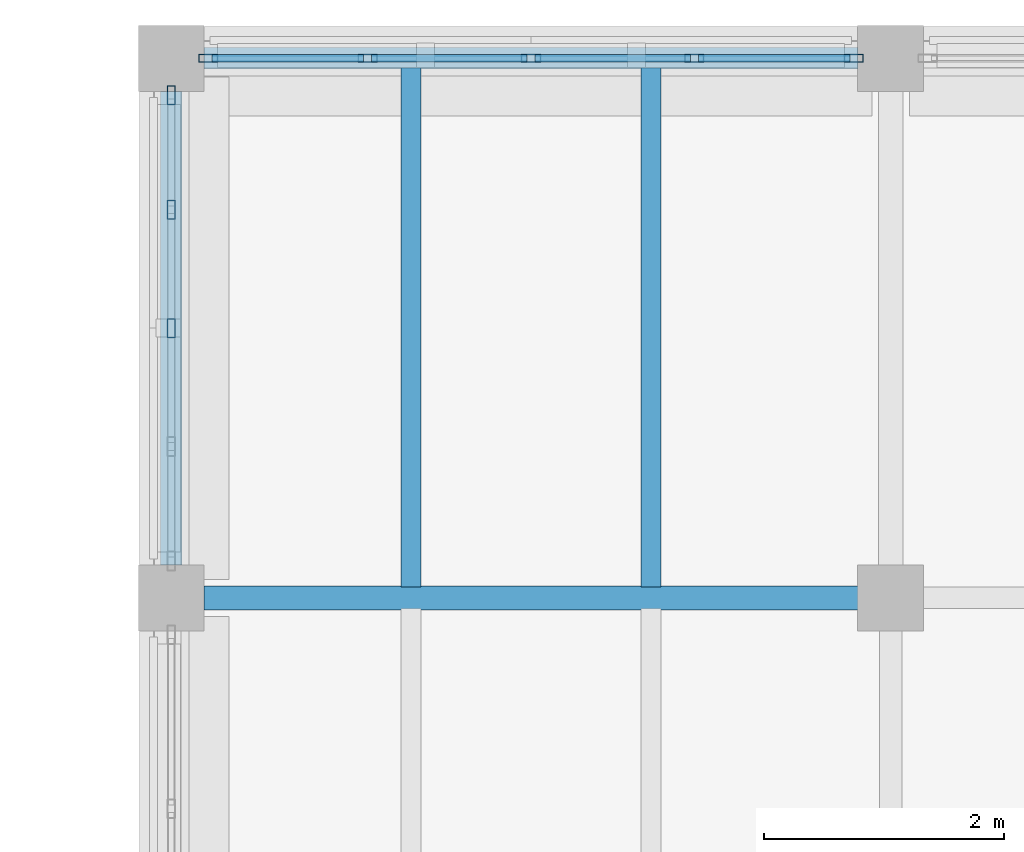
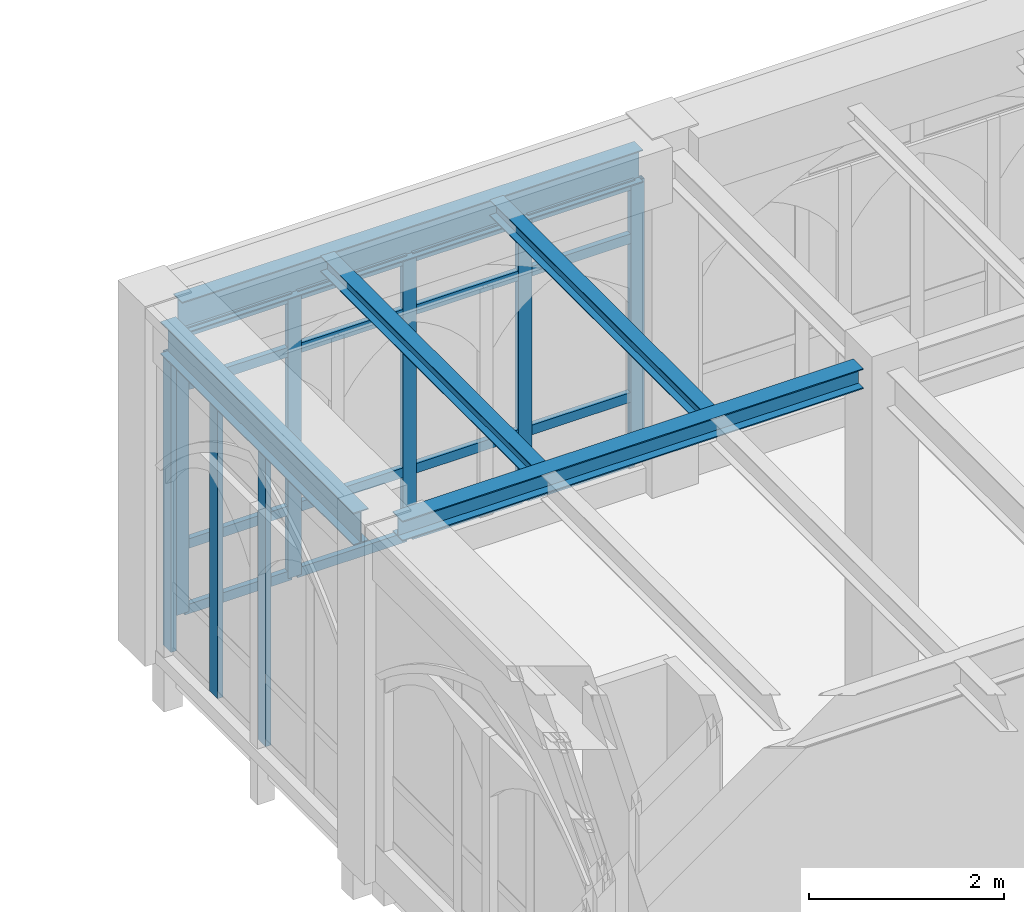
# One storey, part 28 of 108: 24 members, 5 beams, 2 elements without a shape of their own.
"""IFC4 building model written with IfcOpenShell, lengths in metres."""

from ifc_helpers import new_model, si_unit, direction, frame, origin, origin_2d, place, context, subcontext, project, spatial, hollow_rectangle, i_section, extrude, material, layer, layer_set, material_profile, profile_set, type_object, element, aggregate, save


model = new_model("IFC4")

# Units and contexts
model_context = context("Model", 3, precision=1e-05, world=origin(), true_north=direction((0.0, 1.0)))
body_context = subcontext(model_context, "Body", "Model", "MODEL_VIEW")
ifc_project = project(units=[si_unit("LENGTHUNIT", "METRE"), si_unit("AREAUNIT", "SQUARE_METRE"), si_unit("VOLUMEUNIT", "CUBIC_METRE"), si_unit("PLANEANGLEUNIT", "RADIAN"), si_unit("MASSUNIT", "GRAM", prefix="KILO")], contexts=[model_context])

# Site, building, storey
site_placement = place(None, origin())
site = spatial("IfcSite", under=ifc_project, at=site_placement, CompositionType="ELEMENT")
building_placement = place(site_placement, origin())
building = spatial("IfcBuilding", under=site, at=building_placement, Name="Cumevento Cable Car Station", CompositionType="ELEMENT")
storey_placement = place(building_placement, frame((0.0, 0.0, 13.5)))
storey = spatial("IfcBuildingStorey", under=building, at=storey_placement, Name="L04", CompositionType="ELEMENT", Elevation=13.5)

# Curtain wall, members
ifc_material_1 = material(Name="Anodised Bronze Aluminium AW-6063-T6", Category="aluminium")
ifc_layer_1 = layer(ifc_material_1, 0.22607421875)
ifc_layer_set_1 = layer_set([ifc_layer_1], Name="Anodised Bronze Aluminium AW-6063-T6")
curtain_wall_type_1 = type_object("IfcCurtainWallType", Name="Lancet Curtain Wall CW-12 1490", PredefinedType="NOTDEFINED", material=ifc_layer_set_1)
curtain_wall_1_placement = place(storey_placement, origin())
curtain_wall_1 = element("IfcCurtainWall", 1, at=curtain_wall_1_placement, inside=storey, type_object=curtain_wall_type_1, Name="Lancet Curtain Wall CW-12 L04 #171", PredefinedType="NOTDEFINED")
ifc_material_2 = material(Name="Anodised Bronze Aluminium AW-6063-T6", Category="aluminium")
ifc_material_profile_1 = material_profile(ifc_material_2, hollow_rectangle(XDim=0.06494140625, YDim=0.159912109375, WallThickness=0.00390625, at=origin_2d()), Name="ALUM65x160x4")
ifc_profile_set_1 = profile_set([ifc_material_profile_1], Name="Anodised Bronze Aluminium AW-6063-T6")
member_type_1 = type_object("IfcMemberType", Name="Curtain Mullion CWM-01 ALUM65x160x4", PredefinedType="MULLION", material=ifc_profile_set_1)
member_1_placement = place(storey_placement, frame((52.3076171875, 66.0, 0.31005859375), z_axis=(0.0, 0.0, 1.0), x_axis=(0.0, 1.0, 0.0)))
member_1 = element("IfcMember", 2, at=member_1_placement, type_object=member_type_1, Name="CW-12 mullion 1", PredefinedType="MULLION", context=body_context, shape_type="SweptSolid", body=[
    extrude(hollow_rectangle(XDim=0.06494140625, YDim=0.159912109375, WallThickness=0.00390625, at=origin_2d()), origin(), (0.0, 0.0, 1.0), 3.532958984375),
])
member_2_placement = place(storey_placement, frame((53.637451171875, 66.0, 0.31005859375), z_axis=(0.0, 0.0, 1.0), x_axis=(0.0, 1.0, 0.0)))
member_2 = element("IfcMember", 3, at=member_2_placement, type_object=member_type_1, Name="CW-12 mullion 2", PredefinedType="MULLION", context=body_context, shape_type="SweptSolid", body=[
    extrude(hollow_rectangle(XDim=0.06494140625, YDim=0.159912109375, WallThickness=0.00390625, at=origin_2d()), origin(), (0.0, 0.0, 1.0), 3.532958984375),
])
member_3_placement = place(storey_placement, frame((55.0, 66.0, 0.31005859375), z_axis=(0.0, 0.0, 1.0), x_axis=(0.0, 1.0, 0.0)))
member_3 = element("IfcMember", 4, at=member_3_placement, type_object=member_type_1, Name="CW-12 mullion 3", PredefinedType="MULLION", context=body_context, shape_type="SweptSolid", body=[
    extrude(hollow_rectangle(XDim=0.06494140625, YDim=0.159912109375, WallThickness=0.00390625, at=origin_2d()), origin(), (0.0, 0.0, 1.0), 3.532958984375),
])
member_4_placement = place(storey_placement, frame((56.362548828125, 66.0, 0.31005859375), z_axis=(0.0, 0.0, 1.0), x_axis=(0.0, 1.0, 0.0)))
member_4 = element("IfcMember", 5, at=member_4_placement, type_object=member_type_1, Name="CW-12 mullion 4", PredefinedType="MULLION", context=body_context, shape_type="SweptSolid", body=[
    extrude(hollow_rectangle(XDim=0.06494140625, YDim=0.159912109375, WallThickness=0.00390625, at=origin_2d()), origin(), (0.0, 0.0, 1.0), 3.532958984375),
])
member_5_placement = place(storey_placement, frame((57.6923828125, 66.0, 0.31005859375), z_axis=(0.0, 0.0, 1.0), x_axis=(0.0, 1.0, 0.0)))
member_5 = element("IfcMember", 6, at=member_5_placement, type_object=member_type_1, Name="CW-12 mullion 5", PredefinedType="MULLION", context=body_context, shape_type="SweptSolid", body=[
    extrude(hollow_rectangle(XDim=0.06494140625, YDim=0.159912109375, WallThickness=0.00390625, at=origin_2d()), origin(), (0.0, 0.0, 1.0), 3.532958984375),
])

ifc_material_3 = material(Name="Anodised Bronze Aluminium AW-6063-T6", Category="aluminium")
ifc_layer_2 = layer(ifc_material_3, 0.159912109375)
ifc_layer_set_2 = layer_set([ifc_layer_2], Name="Anodised Bronze Aluminium AW-6063-T6")
curtain_wall_type_2 = type_object("IfcCurtainWallType", Name="Lancet Curtain Wall CW-01 1050", PredefinedType="NOTDEFINED", material=ifc_layer_set_2)
curtain_wall_2_placement = place(storey_placement, origin())
curtain_wall_2 = element("IfcCurtainWall", 7, at=curtain_wall_2_placement, inside=storey, type_object=curtain_wall_type_2, Name="Lancet Curtain Wall CW-01 L04 #176", PredefinedType="NOTDEFINED")
member_6_placement = place(storey_placement, frame((52.0, 63.75, 0.159912109375), z_axis=(0.0, 0.0, 1.0), x_axis=(-1.0, 0.0, 0.0)))
member_6 = element("IfcMember", 8, at=member_6_placement, type_object=member_type_1, Name="CW-01 mullion 3", PredefinedType="MULLION", context=body_context, shape_type="SweptSolid", body=[
    extrude(hollow_rectangle(XDim=0.06494140625, YDim=0.159912109375, WallThickness=0.00390625, at=origin_2d()), origin(), (0.0, 0.0, 1.0), 3.68310546875),
])
member_7_placement = place(storey_placement, frame((52.0, 64.737548828125, 0.159912109375), z_axis=(0.0, 0.0, 1.0), x_axis=(-1.0, 0.0, 0.0)))
member_7 = element("IfcMember", 9, at=member_7_placement, type_object=member_type_1, Name="CW-01 mullion 4", PredefinedType="MULLION", context=body_context, shape_type="SweptSolid", body=[
    extrude(hollow_rectangle(XDim=0.06494140625, YDim=0.159912109375, WallThickness=0.00390625, at=origin_2d()), origin(), (0.0, 0.0, 1.0), 3.68310546875),
])
member_8_placement = place(storey_placement, frame((52.0, 65.6923828125, 0.159912109375), z_axis=(0.0, 0.0, 1.0), x_axis=(-1.0, 0.0, 0.0)))
member_8 = element("IfcMember", 10, at=member_8_placement, type_object=member_type_1, Name="CW-01 mullion 5", PredefinedType="MULLION", context=body_context, shape_type="SweptSolid", body=[
    extrude(hollow_rectangle(XDim=0.06494140625, YDim=0.159912109375, WallThickness=0.00390625, at=origin_2d()), origin(), (0.0, 0.0, 1.0), 3.68310546875),
])
aggregate(curtain_wall_2, [member_6, member_7, member_8])

# Member
ifc_material_4 = material(Name="Anodised Bronze Aluminium AW-6063-T6", Category="aluminium")
ifc_material_profile_2 = material_profile(ifc_material_4, hollow_rectangle(XDim=0.06494140625, YDim=0.1201171875, WallThickness=0.00390625, at=origin_2d()), Name="ALUT65x120x4")
ifc_profile_set_2 = profile_set([ifc_material_profile_2], Name="Anodised Bronze Aluminium AW-6063-T6")
member_type_2 = type_object("IfcMemberType", Name="Curtain Transom CWT-01 ALUT65x120x4", PredefinedType="USERDEFINED", material=ifc_profile_set_2)
member_9_placement = place(storey_placement, frame((52.340087890625, 66.0, 0.342529296875), z_axis=(1.0, 0.0, 0.0), x_axis=(0.0, 1.0, 0.0)))
member_9 = element("IfcMember", 11, at=member_9_placement, type_object=member_type_2, Name="CW-12 transom 1.1", ObjectType="TRANSOM", PredefinedType="USERDEFINED", context=body_context, shape_type="SweptSolid", body=[
    extrude(hollow_rectangle(XDim=0.06494140625, YDim=0.1201171875, WallThickness=0.00390625, at=origin_2d()), origin(), (0.0, 0.0, 1.0), 1.264892578125),
])

member_10_placement = place(storey_placement, frame((52.340087890625, 66.0, 1.159912109375), z_axis=(1.0, 0.0, 0.0), x_axis=(0.0, 1.0, 0.0)))
member_10 = element("IfcMember", 12, at=member_10_placement, type_object=member_type_2, Name="CW-12 transom 1.2", ObjectType="TRANSOM", PredefinedType="USERDEFINED", context=body_context, shape_type="SweptSolid", body=[
    extrude(hollow_rectangle(XDim=0.06494140625, YDim=0.1201171875, WallThickness=0.00390625, at=origin_2d()), origin(), (0.0, 0.0, 1.0), 1.264892578125),
])

member_11_placement = place(storey_placement, frame((52.340087890625, 66.0, 3.14306640625), z_axis=(1.0, 0.0, 0.0), x_axis=(0.0, 1.0, 0.0)))
member_11 = element("IfcMember", 13, at=member_11_placement, type_object=member_type_2, Name="CW-12 transom 1.3", ObjectType="TRANSOM", PredefinedType="USERDEFINED", context=body_context, shape_type="SweptSolid", body=[
    extrude(hollow_rectangle(XDim=0.06494140625, YDim=0.1201171875, WallThickness=0.00390625, at=origin_2d()), origin(), (0.0, 0.0, 1.0), 1.264892578125),
])

member_12_placement = place(storey_placement, frame((52.340087890625, 66.0, 3.810546875), z_axis=(1.0, 0.0, 0.0), x_axis=(0.0, 1.0, 0.0)))
member_12 = element("IfcMember", 14, at=member_12_placement, type_object=member_type_2, Name="CW-12 transom 1.4", ObjectType="TRANSOM", PredefinedType="USERDEFINED", context=body_context, shape_type="SweptSolid", body=[
    extrude(hollow_rectangle(XDim=0.06494140625, YDim=0.1201171875, WallThickness=0.00390625, at=origin_2d()), origin(), (0.0, 0.0, 1.0), 1.264892578125),
])

member_13_placement = place(storey_placement, frame((53.669921875, 66.0, 0.342529296875), z_axis=(1.0, 0.0, 0.0), x_axis=(0.0, 1.0, 0.0)))
member_13 = element("IfcMember", 15, at=member_13_placement, type_object=member_type_2, Name="CW-12 transom 2.1", ObjectType="TRANSOM", PredefinedType="USERDEFINED", context=body_context, shape_type="SweptSolid", body=[
    extrude(hollow_rectangle(XDim=0.06494140625, YDim=0.1201171875, WallThickness=0.00390625, at=origin_2d()), origin(), (0.0, 0.0, 1.0), 1.297607421875),
])

member_14_placement = place(storey_placement, frame((53.669921875, 66.0, 1.159912109375), z_axis=(1.0, 0.0, 0.0), x_axis=(0.0, 1.0, 0.0)))
member_14 = element("IfcMember", 16, at=member_14_placement, type_object=member_type_2, Name="CW-12 transom 2.2", ObjectType="TRANSOM", PredefinedType="USERDEFINED", context=body_context, shape_type="SweptSolid", body=[
    extrude(hollow_rectangle(XDim=0.06494140625, YDim=0.1201171875, WallThickness=0.00390625, at=origin_2d()), origin(), (0.0, 0.0, 1.0), 1.297607421875),
])

member_15_placement = place(storey_placement, frame((53.669921875, 66.0, 3.14306640625), z_axis=(1.0, 0.0, 0.0), x_axis=(0.0, 1.0, 0.0)))
member_15 = element("IfcMember", 17, at=member_15_placement, type_object=member_type_2, Name="CW-12 transom 2.3", ObjectType="TRANSOM", PredefinedType="USERDEFINED", context=body_context, shape_type="SweptSolid", body=[
    extrude(hollow_rectangle(XDim=0.06494140625, YDim=0.1201171875, WallThickness=0.00390625, at=origin_2d()), origin(), (0.0, 0.0, 1.0), 1.297607421875),
])

member_16_placement = place(storey_placement, frame((53.669921875, 66.0, 3.810546875), z_axis=(1.0, 0.0, 0.0), x_axis=(0.0, 1.0, 0.0)))
member_16 = element("IfcMember", 18, at=member_16_placement, type_object=member_type_2, Name="CW-12 transom 2.4", ObjectType="TRANSOM", PredefinedType="USERDEFINED", context=body_context, shape_type="SweptSolid", body=[
    extrude(hollow_rectangle(XDim=0.06494140625, YDim=0.1201171875, WallThickness=0.00390625, at=origin_2d()), origin(), (0.0, 0.0, 1.0), 1.297607421875),
])

member_17_placement = place(storey_placement, frame((55.032470703125, 66.0, 0.342529296875), z_axis=(1.0, 0.0, 0.0), x_axis=(0.0, 1.0, 0.0)))
member_17 = element("IfcMember", 19, at=member_17_placement, type_object=member_type_2, Name="CW-12 transom 3.1", ObjectType="TRANSOM", PredefinedType="USERDEFINED", context=body_context, shape_type="SweptSolid", body=[
    extrude(hollow_rectangle(XDim=0.06494140625, YDim=0.1201171875, WallThickness=0.00390625, at=origin_2d()), origin(), (0.0, 0.0, 1.0), 1.297607421875),
])

member_18_placement = place(storey_placement, frame((55.032470703125, 66.0, 1.159912109375), z_axis=(1.0, 0.0, 0.0), x_axis=(0.0, 1.0, 0.0)))
member_18 = element("IfcMember", 20, at=member_18_placement, type_object=member_type_2, Name="CW-12 transom 3.2", ObjectType="TRANSOM", PredefinedType="USERDEFINED", context=body_context, shape_type="SweptSolid", body=[
    extrude(hollow_rectangle(XDim=0.06494140625, YDim=0.1201171875, WallThickness=0.00390625, at=origin_2d()), origin(), (0.0, 0.0, 1.0), 1.297607421875),
])

member_19_placement = place(storey_placement, frame((55.032470703125, 66.0, 3.14306640625), z_axis=(1.0, 0.0, 0.0), x_axis=(0.0, 1.0, 0.0)))
member_19 = element("IfcMember", 21, at=member_19_placement, type_object=member_type_2, Name="CW-12 transom 3.3", ObjectType="TRANSOM", PredefinedType="USERDEFINED", context=body_context, shape_type="SweptSolid", body=[
    extrude(hollow_rectangle(XDim=0.06494140625, YDim=0.1201171875, WallThickness=0.00390625, at=origin_2d()), origin(), (0.0, 0.0, 1.0), 1.297607421875),
])

member_20_placement = place(storey_placement, frame((55.032470703125, 66.0, 3.810546875), z_axis=(1.0, 0.0, 0.0), x_axis=(0.0, 1.0, 0.0)))
member_20 = element("IfcMember", 22, at=member_20_placement, type_object=member_type_2, Name="CW-12 transom 3.4", ObjectType="TRANSOM", PredefinedType="USERDEFINED", context=body_context, shape_type="SweptSolid", body=[
    extrude(hollow_rectangle(XDim=0.06494140625, YDim=0.1201171875, WallThickness=0.00390625, at=origin_2d()), origin(), (0.0, 0.0, 1.0), 1.297607421875),
])

member_21_placement = place(storey_placement, frame((56.39501953125, 66.0, 0.342529296875), z_axis=(1.0, 0.0, 0.0), x_axis=(0.0, 1.0, 0.0)))
member_21 = element("IfcMember", 23, at=member_21_placement, type_object=member_type_2, Name="CW-12 transom 4.1", ObjectType="TRANSOM", PredefinedType="USERDEFINED", context=body_context, shape_type="SweptSolid", body=[
    extrude(hollow_rectangle(XDim=0.06494140625, YDim=0.1201171875, WallThickness=0.00390625, at=origin_2d()), origin(), (0.0, 0.0, 1.0), 1.264892578125),
])

member_22_placement = place(storey_placement, frame((56.39501953125, 66.0, 1.159912109375), z_axis=(1.0, 0.0, 0.0), x_axis=(0.0, 1.0, 0.0)))
member_22 = element("IfcMember", 24, at=member_22_placement, type_object=member_type_2, Name="CW-12 transom 4.2", ObjectType="TRANSOM", PredefinedType="USERDEFINED", context=body_context, shape_type="SweptSolid", body=[
    extrude(hollow_rectangle(XDim=0.06494140625, YDim=0.1201171875, WallThickness=0.00390625, at=origin_2d()), origin(), (0.0, 0.0, 1.0), 1.264892578125),
])

member_23_placement = place(storey_placement, frame((56.39501953125, 66.0, 3.14306640625), z_axis=(1.0, 0.0, 0.0), x_axis=(0.0, 1.0, 0.0)))
member_23 = element("IfcMember", 25, at=member_23_placement, type_object=member_type_2, Name="CW-12 transom 4.3", ObjectType="TRANSOM", PredefinedType="USERDEFINED", context=body_context, shape_type="SweptSolid", body=[
    extrude(hollow_rectangle(XDim=0.06494140625, YDim=0.1201171875, WallThickness=0.00390625, at=origin_2d()), origin(), (0.0, 0.0, 1.0), 1.264892578125),
])

member_24_placement = place(storey_placement, frame((56.39501953125, 66.0, 3.810546875), z_axis=(1.0, 0.0, 0.0), x_axis=(0.0, 1.0, 0.0)))
member_24 = element("IfcMember", 26, at=member_24_placement, type_object=member_type_2, Name="CW-12 transom 4.4", ObjectType="TRANSOM", PredefinedType="USERDEFINED", context=body_context, shape_type="SweptSolid", body=[
    extrude(hollow_rectangle(XDim=0.06494140625, YDim=0.1201171875, WallThickness=0.00390625, at=origin_2d()), origin(), (0.0, 0.0, 1.0), 1.264892578125),
])

aggregate(curtain_wall_1, [member_1, member_2, member_3, member_4, member_5, member_9, member_10, member_11, member_12, member_13, member_14, member_15, member_16, member_17, member_18, member_19, member_20, member_21, member_22, member_23, member_24])

# Beams
ifc_material_5 = material(Name="Steel ASTM A572 Grade 50", Category="steel")
ifc_material_profile_3 = material_profile(ifc_material_5, i_section(OverallWidth=0.202880859375, OverallDepth=0.251953125, WebThickness=0.008056640625, FlangeThickness=0.013427734375, at=origin_2d()), Name="W250x58.0")
ifc_profile_set_3 = profile_set([ifc_material_profile_3], Name="Steel ASTM A572 Grade 50")
beam_type_1 = type_object("IfcBeamType", Name="Structural Beam BM-08 W250x58.0", PredefinedType="BEAM", material=ifc_profile_set_3)
beam_1_placement = place(storey_placement, frame((52.27490234375, 61.5, 4.1240234375), z_axis=(1.0, 0.0, 0.0), x_axis=(0.0, 1.0, 0.0)))
element("IfcBeam", 27, at=beam_1_placement, inside=storey, type_object=beam_type_1, Name="Beam BM-08 L04 #1437", PredefinedType="BEAM", context=body_context, shape_type="SweptSolid", body=[
    extrude(i_section(OverallWidth=0.202880859375, OverallDepth=0.251953125, WebThickness=0.008056640625, FlangeThickness=0.013427734375, at=origin_2d()), origin(), (0.0, 0.0, 1.0), 5.4501953125),
])
ifc_material_6 = material(Name="Steel ASTM A572 Grade 50", Category="steel")
ifc_material_profile_4 = material_profile(ifc_material_6, i_section(OverallWidth=0.1650390625, OverallDepth=0.200927734375, WebThickness=0.006103515625, FlangeThickness=0.01025390625, at=origin_2d()), Name="W200x35.9")
ifc_profile_set_4 = profile_set([ifc_material_profile_4], Name="Steel ASTM A572 Grade 50")
beam_type_2 = type_object("IfcBeamType", Name="Structural Joist JS-04 W200x35.9", PredefinedType="JOIST", material=ifc_profile_set_4)
for number, where, z_axis, x_axis, name in (
    (28, (54.0, 61.589599609375, 4.1494140625), (0.0, 1.0, 0.0), (-1.0, 0.0, 0.0), "Composite Floor Joist JS-04 L04 #1546"),
    (29, (56.0, 61.589599609375, 4.1494140625), (0.0, 1.0, 0.0), (-1.0, 0.0, 0.0), "Composite Floor Joist JS-04 L04 #1548"),
):
    element("IfcBeam", number, at=place(storey_placement, frame(where, z_axis=z_axis, x_axis=x_axis)), inside=storey, type_object=beam_type_2, Name=name, PredefinedType="JOIST", context=body_context, shape_type="SweptSolid", body=[
        extrude(i_section(OverallWidth=0.1650390625, OverallDepth=0.200927734375, WebThickness=0.006103515625, FlangeThickness=0.01025390625, at=origin_2d()), origin(), (0.0, 0.0, 1.0), 4.33349609375),
    ])
ifc_material_7 = material(Name="Steel ASTM A572 Grade 50", Category="steel")
ifc_material_profile_5 = material_profile(ifc_material_7, i_section(OverallWidth=0.177978515625, OverallDepth=0.406982421875, WebThickness=0.0078125, FlangeThickness=0.0126953125, at=origin_2d()), Name="W410x60.0")
ifc_profile_set_5 = profile_set([ifc_material_profile_5], Name="Steel ASTM A572 Grade 50")
beam_type_3 = type_object("IfcBeamType", Name="Structural Spandrel SP-01 W410x60.0", PredefinedType="SPANDREL", material=ifc_profile_set_5)
beam_2_placement = place(storey_placement, frame((52.27490234375, 66.0, 4.04638671875), z_axis=(1.0, 0.0, 0.0), x_axis=(0.0, 1.0, 0.0)))
element("IfcBeam", 30, at=beam_2_placement, inside=storey, type_object=beam_type_3, Name="Beam SP-01 L04 #1440", PredefinedType="SPANDREL", context=body_context, shape_type="SweptSolid", body=[
    extrude(i_section(OverallWidth=0.177978515625, OverallDepth=0.406982421875, WebThickness=0.0078125, FlangeThickness=0.0126953125, at=origin_2d()), origin(), (0.0, 0.0, 1.0), 5.4501953125),
])
beam_3_placement = place(storey_placement, frame((52.0, 61.77490234375, 4.04638671875), z_axis=(0.0, 1.0, 0.0), x_axis=(-1.0, 0.0, 0.0)))
element("IfcBeam", 31, at=beam_3_placement, inside=storey, type_object=beam_type_3, Name="Beam SP-01 L04 #1444", PredefinedType="SPANDREL", context=body_context, shape_type="SweptSolid", body=[
    extrude(i_section(OverallWidth=0.177978515625, OverallDepth=0.406982421875, WebThickness=0.0078125, FlangeThickness=0.0126953125, at=origin_2d()), origin(), (0.0, 0.0, 1.0), 3.9501953125),
])

save(model, "model.ifc")
